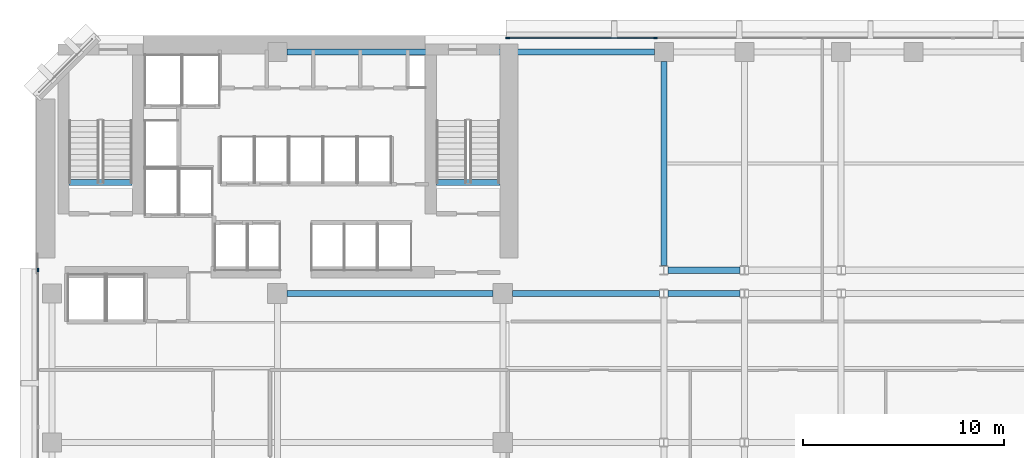
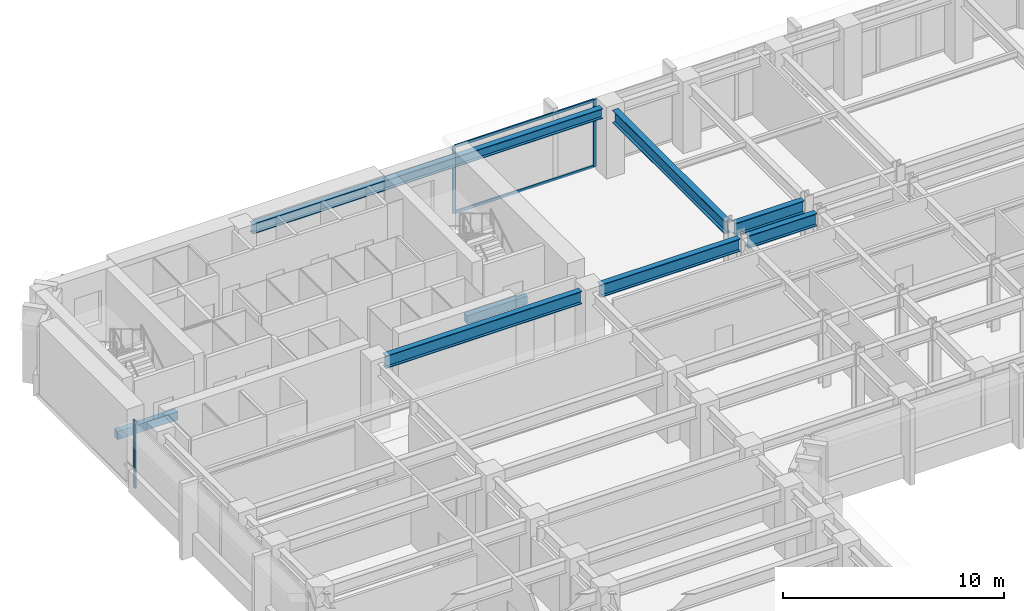
# One storey, part 4 of 13: 8 beams, 5 members, 2 elements without a shape of their own.
"""IFC4 building model written with IfcOpenShell, lengths in metres."""

from ifc_helpers import new_model, si_unit, direction, frame, origin, origin_2d, place, context, subcontext, project, spatial, rectangle, i_section, extrude, material, layer, layer_set, material_profile, profile_set, type_object, element, aggregate, save


model = new_model("IFC4")

# Units and contexts
model_context = context("Model", 3, precision=1e-05, world=origin(), true_north=direction((0.0, 1.0)))
body_context = subcontext(model_context, "Body", "Model", "MODEL_VIEW")
ifc_project = project(units=[si_unit("LENGTHUNIT", "METRE"), si_unit("AREAUNIT", "SQUARE_METRE"), si_unit("VOLUMEUNIT", "CUBIC_METRE"), si_unit("PLANEANGLEUNIT", "RADIAN"), si_unit("MASSUNIT", "GRAM", prefix="KILO")], contexts=[model_context])

# Site, building, storey
site_placement = place(None, origin())
site = spatial("IfcSite", under=ifc_project, at=site_placement, CompositionType="ELEMENT")
building_placement = place(site_placement, origin())
building = spatial("IfcBuilding", under=site, at=building_placement, Name="Kefirva Bronze Tower", CompositionType="ELEMENT")
storey_placement = place(building_placement, frame((0.0, 0.0, 102.6298828125)))
storey = spatial("IfcBuildingStorey", under=building, at=storey_placement, Name="L24", CompositionType="ELEMENT", Elevation=102.6298828125)

# Curtain wall, members
ifc_material_1 = material(Name="Bronze anodised aluminium", Category="aluminium")
ifc_layer = layer(ifc_material_1, 0.199951171875, Name="Bronze anodised aluminium")
ifc_layer_set = layer_set([ifc_layer], Name="Bronze anodised aluminium")
curtain_wall_type = type_object("IfcCurtainWallType", Name="Unitised Bronze Ribbon Curtain Wall Zone 1", PredefinedType="USERDEFINED", material=ifc_layer_set)
curtain_wall_1_placement = place(storey_placement, origin())
curtain_wall_1 = element("IfcCurtainWall", 1, at=curtain_wall_1_placement, inside=storey, type_object=curtain_wall_type, Name="L24 Curtain Wall 3", ObjectType="UNITISED CURTAIN WALL", PredefinedType="USERDEFINED")
ifc_material_profile_1 = material_profile(ifc_material_1, rectangle(XDim=0.074951171875, YDim=0.179931640625, at=origin_2d()), Name="ALU 75x180")
ifc_profile_set_1 = profile_set([ifc_material_profile_1], Name="Bronze anodised aluminium")
member_type_1 = type_object("IfcMemberType", Name="Bronze Mullion 75x180", PredefinedType="MULLION", material=ifc_profile_set_1)
member_1_placement = place(storey_placement, frame((30.7900390625, 45.8798828125, 0.0), z_axis=(0.0, 0.0, 1.0), x_axis=(0.0, -1.0, 0.0)))
member_1 = element("IfcMember", 2, at=member_1_placement, type_object=member_type_1, Name="CW-01 mullion 4", PredefinedType="MULLION", context=body_context, shape_type="SweptSolid", body=[
    extrude(rectangle(XDim=0.074951171875, YDim=0.179931640625, at=origin_2d()), origin(), (0.0, 0.0, 1.0), 3.710205078125),
])
member_2_placement = place(storey_placement, frame((23.4423828125, 45.8798828125, 0.0), z_axis=(0.0, 0.0, 1.0), x_axis=(0.0, -1.0, 0.0)))
member_2 = element("IfcMember", 3, at=member_2_placement, type_object=member_type_1, Name="CW-01 mullion 5", PredefinedType="MULLION", context=body_context, shape_type="SweptSolid", body=[
    extrude(rectangle(XDim=0.074951171875, YDim=0.179931640625, at=origin_2d()), origin(), (0.0, 0.0, 1.0), 3.710205078125),
])

# Curtain wall, member
curtain_wall_2_placement = place(storey_placement, origin())
curtain_wall_2 = element("IfcCurtainWall", 4, at=curtain_wall_2_placement, inside=storey, type_object=curtain_wall_type, Name="L24 Curtain Wall 4", ObjectType="UNITISED CURTAIN WALL", PredefinedType="USERDEFINED")
member_3_placement = place(storey_placement, frame((0.1201171875, 34.357421875, 0.0), z_axis=(0.0, 0.0, 1.0), x_axis=(1.0, 0.0, 0.0)))
member_3 = element("IfcMember", 5, at=member_3_placement, type_object=member_type_1, Name="CW-01 mullion 1", PredefinedType="MULLION", context=body_context, shape_type="SweptSolid", body=[
    extrude(rectangle(XDim=0.074951171875, YDim=0.179931640625, at=origin_2d()), origin(), (0.0, 0.0, 1.0), 3.710205078125),
])
aggregate(curtain_wall_2, [member_3])

# Member
ifc_material_profile_2 = material_profile(ifc_material_1, rectangle(XDim=0.074951171875, YDim=0.14990234375, at=origin_2d()), Name="ALU 75x150")
ifc_profile_set_2 = profile_set([ifc_material_profile_2], Name="Bronze anodised aluminium")
member_type_2 = type_object("IfcMemberType", Name="Bronze Transom 75x150", PredefinedType="USERDEFINED", material=ifc_profile_set_2)
member_4_placement = place(storey_placement, frame((30.75244140625, 45.8798828125, 0.03759765625), z_axis=(-1.0, 0.0, 0.0), x_axis=(0.0, -1.0, 0.0)))
member_4 = element("IfcMember", 6, at=member_4_placement, type_object=member_type_2, Name="CW-01 transom 4.1", ObjectType="TRANSOM", PredefinedType="USERDEFINED", context=body_context, shape_type="SweptSolid", body=[
    extrude(rectangle(XDim=0.074951171875, YDim=0.14990234375, at=origin_2d()), origin(), (0.0, 0.0, 1.0), 7.2724609375),
])

member_5_placement = place(storey_placement, frame((30.75244140625, 45.8798828125, 3.672607421875), z_axis=(-1.0, 0.0, 0.0), x_axis=(0.0, -1.0, 0.0)))
member_5 = element("IfcMember", 7, at=member_5_placement, type_object=member_type_2, Name="CW-01 transom 4.2", ObjectType="TRANSOM", PredefinedType="USERDEFINED", context=body_context, shape_type="SweptSolid", body=[
    extrude(rectangle(XDim=0.074951171875, YDim=0.14990234375, at=origin_2d()), origin(), (0.0, 0.0, 1.0), 7.2724609375),
])

aggregate(curtain_wall_1, [member_1, member_2, member_4, member_5])

# Beams
ifc_material_2 = material(Name="Concrete C50/60", Category="concrete")
ifc_material_profile_3 = material_profile(ifc_material_2, rectangle(XDim=0.300048828125, YDim=0.449951171875, at=origin_2d()), Name="RC 300x450")
ifc_profile_set_3 = profile_set([ifc_material_profile_3], Name="Concrete C50/60")
beam_type_1 = type_object("IfcBeamType", Name="RC Stair Trimmer Beam 300x450", PredefinedType="BEAM", material=ifc_profile_set_3)
beam_1_placement = place(storey_placement, frame((1.64501953125, 38.699951171875, -0.224853515625), z_axis=(1.0, 0.0, 0.0), x_axis=(0.0, 1.0, 0.0)))
element("IfcBeam", 8, at=beam_1_placement, inside=storey, type_object=beam_type_1, Name="L24 Stair 1 Landing Trimmer Beam", PredefinedType="BEAM", context=body_context, shape_type="SweptSolid", body=[
    extrude(rectangle(XDim=0.300048828125, YDim=0.449951171875, at=origin_2d()), origin(), (0.0, 0.0, 1.0), 3.14990234375),
])
beam_2_placement = place(storey_placement, frame((19.89501953125, 38.699951171875, -0.224853515625), z_axis=(1.0, 0.0, 0.0), x_axis=(0.0, 1.0, 0.0)))
element("IfcBeam", 9, at=beam_2_placement, inside=storey, type_object=beam_type_1, Name="L24 Stair 2 Landing Trimmer Beam", PredefinedType="BEAM", context=body_context, shape_type="SweptSolid", body=[
    extrude(rectangle(XDim=0.300048828125, YDim=0.449951171875, at=origin_2d()), origin(), (0.0, 0.0, 1.0), 3.159912109375),
])
ifc_material_3 = material(Name="Steel S355", Category="steel")
ifc_material_profile_4 = material_profile(ifc_material_3, i_section(OverallWidth=0.300048828125, OverallDepth=0.699951171875, WebThickness=0.01708984375, FlangeThickness=0.031982421875, at=origin_2d()), Name="HEB 700")
ifc_profile_set_4 = profile_set([ifc_material_profile_4], Name="Steel S355")
beam_type_2 = type_object("IfcBeamType", Name="Steel Girder HEB 700", PredefinedType="USERDEFINED", material=ifc_profile_set_4)
beam_3_placement = place(storey_placement, frame((12.489990234375, 33.199951171875, 3.360107421875), z_axis=(1.0, 0.0, 0.0), x_axis=(0.0, 1.0, 0.0)))
element("IfcBeam", 10, at=beam_3_placement, inside=storey, type_object=beam_type_2, Name="L24 BM-L24-EW-12-332", ObjectType="GIRDER", PredefinedType="USERDEFINED", context=body_context, shape_type="SweptSolid", body=[
    extrude(i_section(OverallWidth=0.300048828125, OverallDepth=0.699951171875, WebThickness=0.01708984375, FlangeThickness=0.031982421875, at=origin_2d()), origin(), (0.0, 0.0, 1.0), 10.219970703125),
])
beam_4_placement = place(storey_placement, frame((23.68994140625, 33.199951171875, 3.360107421875), z_axis=(1.0, 0.0, 0.0), x_axis=(0.0, 1.0, 0.0)))
element("IfcBeam", 11, at=beam_4_placement, inside=storey, type_object=beam_type_2, Name="L24 BM-L24-EW-23-332", ObjectType="GIRDER", PredefinedType="USERDEFINED", context=body_context, shape_type="SweptSolid", body=[
    extrude(i_section(OverallWidth=0.300048828125, OverallDepth=0.699951171875, WebThickness=0.01708984375, FlangeThickness=0.031982421875, at=origin_2d()), origin(), (0.0, 0.0, 1.0), 7.301025390625),
])
for number, where, z_axis, x_axis, name in (
    (12, (31.408935546875, 33.199951171875, 3.360107421875), (1.0, 0.0, 0.0), (0.0, 1.0, 0.0), "L24 BM-L24-EW-31-332"),
    (13, (31.408935546875, 34.35009765625, 3.360107421875), (1.0, 0.0, 0.0), (0.0, 1.0, 0.0), "L24 BM-L24-EW-31-344"),
):
    element("IfcBeam", number, at=place(storey_placement, frame(where, z_axis=z_axis, x_axis=x_axis)), inside=storey, type_object=beam_type_2, Name=name, ObjectType="GIRDER", PredefinedType="USERDEFINED", context=body_context, shape_type="SweptSolid", body=[
        extrude(i_section(OverallWidth=0.300048828125, OverallDepth=0.699951171875, WebThickness=0.01708984375, FlangeThickness=0.031982421875, at=origin_2d()), origin(), (0.0, 0.0, 1.0), 3.58203125),
    ])
beam_5_placement = place(storey_placement, frame((31.199951171875, 34.577392578125, 3.360107421875), z_axis=(0.0, 1.0, 0.0), x_axis=(-1.0, 0.0, 0.0)))
element("IfcBeam", 14, at=beam_5_placement, inside=storey, type_object=beam_type_2, Name="L24 BM-L24-NS-312-34", ObjectType="GIRDER", PredefinedType="USERDEFINED", context=body_context, shape_type="SweptSolid", body=[
    extrude(i_section(OverallWidth=0.300048828125, OverallDepth=0.699951171875, WebThickness=0.01708984375, FlangeThickness=0.031982421875, at=origin_2d()), origin(), (0.0, 0.0, 1.0), 10.152587890625),
])
ifc_material_profile_5 = material_profile(ifc_material_3, i_section(OverallWidth=0.300048828125, OverallDepth=0.550048828125, WebThickness=0.014892578125, FlangeThickness=0.029052734375, at=origin_2d()), Name="HEB 550")
ifc_profile_set_5 = profile_set([ifc_material_profile_5], Name="Steel S355")
beam_type_3 = type_object("IfcBeamType", Name="Steel Spandrel HEB 550 Ext", PredefinedType="SPANDREL", material=ifc_profile_set_5)
beam_6_placement = place(storey_placement, frame((12.469970703125, 45.199951171875, 3.43505859375), z_axis=(1.0, 0.0, 0.0), x_axis=(0.0, 1.0, 0.0)))
element("IfcBeam", 15, at=beam_6_placement, inside=storey, type_object=beam_type_3, Name="L24 BM-L24-EW-12-452", PredefinedType="SPANDREL", context=body_context, shape_type="SweptSolid", body=[
    extrude(i_section(OverallWidth=0.300048828125, OverallDepth=0.550048828125, WebThickness=0.014892578125, FlangeThickness=0.029052734375, at=origin_2d()), origin(), (0.0, 0.0, 1.0), 18.260009765625),
])

save(model, "model.ifc")
